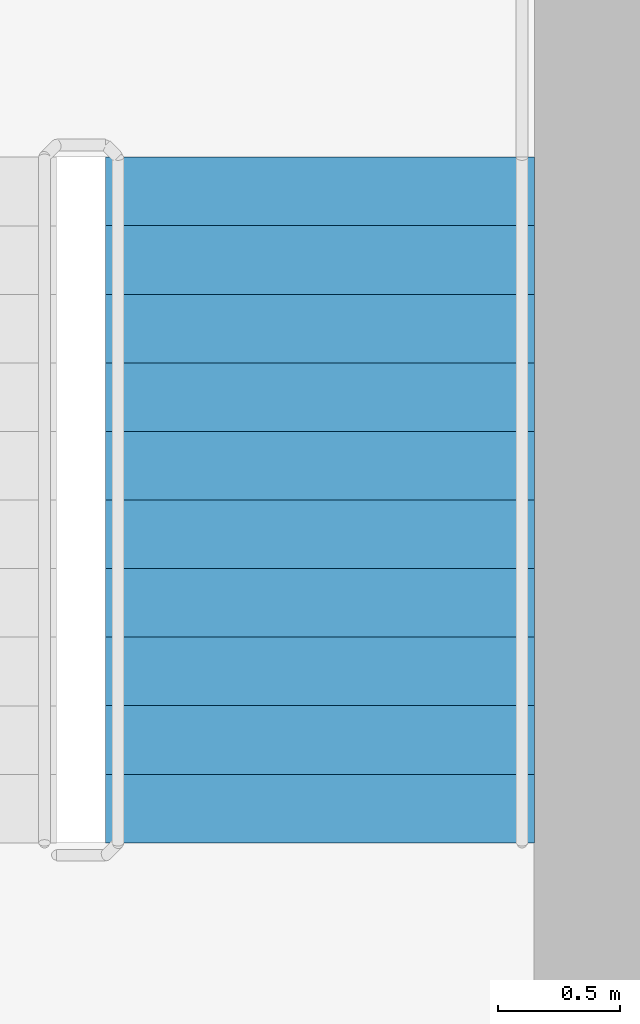
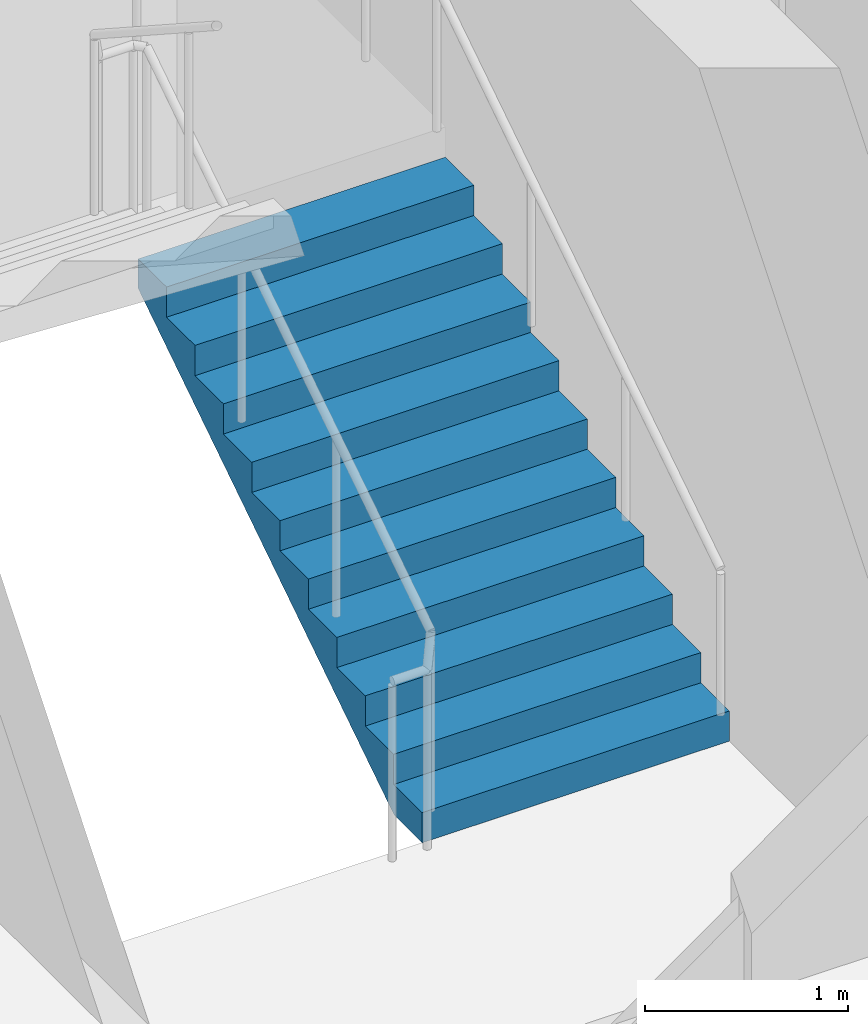
# One storey, part 9 of 11: 1 stair flight, 1 element without a shape of its own.
"""IFC4 building model written with IfcOpenShell, lengths in metres."""

from ifc_helpers import new_model, si_unit, direction, frame, origin, place, context, subcontext, project, spatial, polyline, outline, extrude, material, type_object, element, aggregate, save


model = new_model("IFC4")

# Units and contexts
model_context = context("Model", 3, precision=1e-05, world=origin(), true_north=direction((0.0, 1.0)))
body_context = subcontext(model_context, "Body", "Model", "MODEL_VIEW")
ifc_project = project(units=[si_unit("LENGTHUNIT", "METRE"), si_unit("AREAUNIT", "SQUARE_METRE"), si_unit("VOLUMEUNIT", "CUBIC_METRE"), si_unit("PLANEANGLEUNIT", "RADIAN"), si_unit("MASSUNIT", "GRAM", prefix="KILO")], contexts=[model_context])

# Site, building, storey
site_placement = place(None, origin())
site = spatial("IfcSite", under=ifc_project, at=site_placement, CompositionType="ELEMENT")
building_placement = place(site_placement, origin())
building = spatial("IfcBuilding", under=site, at=building_placement, Name="Verdant Reach Tower", CompositionType="ELEMENT")
storey_placement = place(building_placement, frame((0.0, 0.0, 298.0)))
storey = spatial("IfcBuildingStorey", under=building, at=storey_placement, Name="L68", CompositionType="ELEMENT", Elevation=298.0)

# Stair, stair flight
ifc_material = material(Name="Concrete C40/50", Category="concrete")
stair_type = type_object("IfcStairType", Name="CO-STAIR", PredefinedType="HALF_TURN_STAIR", material=ifc_material)
stair_placement = place(storey_placement, origin())
stair = element("IfcStair", 1, at=stair_placement, inside=storey, type_object=stair_type, Name="L68 Exit stair 2", PredefinedType="HALF_TURN_STAIR")
stair_flight_type = type_object("IfcStairFlightType", Name="CO-STAIR-FLIGHT", PredefinedType="STRAIGHT", material=ifc_material)
stair_flight_placement = place(storey_placement, frame((11.72509765625, 25.85009765625, 0.0), z_axis=(0.0, 0.0, 1.0), x_axis=(0.0, 1.0, 0.0)))
stair_flight = element("IfcStairFlight", 2, at=stair_flight_placement, type_object=stair_flight_type, Name="ST-2 flight 1", NumberOfRisers=11, NumberOfTreads=10, PredefinedType="STRAIGHT", RiserHeight=0.181818182, TreadLength=0.28, context=body_context, shape_type="SweptSolid", body=[
    extrude(outline(polyline([(0.0, 0.0), (0.0, 0.181884765625), (0.280029296875, 0.181884765625), (0.280029296875, 0.363525390625), (0.56005859375, 0.363525390625), (0.56005859375, 0.54541015625), (0.840087890625, 0.54541015625), (0.840087890625, 0.727294921875), (1.1201171875, 0.727294921875), (1.1201171875, 0.9091796875), (1.39990234375, 0.9091796875), (1.39990234375, 1.0908203125), (1.679931640625, 1.0908203125), (1.679931640625, 1.272705078125), (1.9599609375, 1.272705078125), (1.9599609375, 1.45458984375), (2.239990234375, 1.45458984375), (2.239990234375, 1.636474609375), (2.52001953125, 1.636474609375), (2.52001953125, 1.818115234375), (2.800048828125, 1.818115234375), (2.800048828125, 2.0), (2.800048828125, 1.639404296875), (0.275146484375, 0.0), (0.0, 0.0)])), frame((0.0, 0.875, 0.0), z_axis=(0.0, -1.0, 0.0), x_axis=(1.0, 0.0, 0.0)), (0.0, 0.0, 1.0), 1.75),
])
aggregate(stair, [stair_flight])

save(model, "model.ifc")
